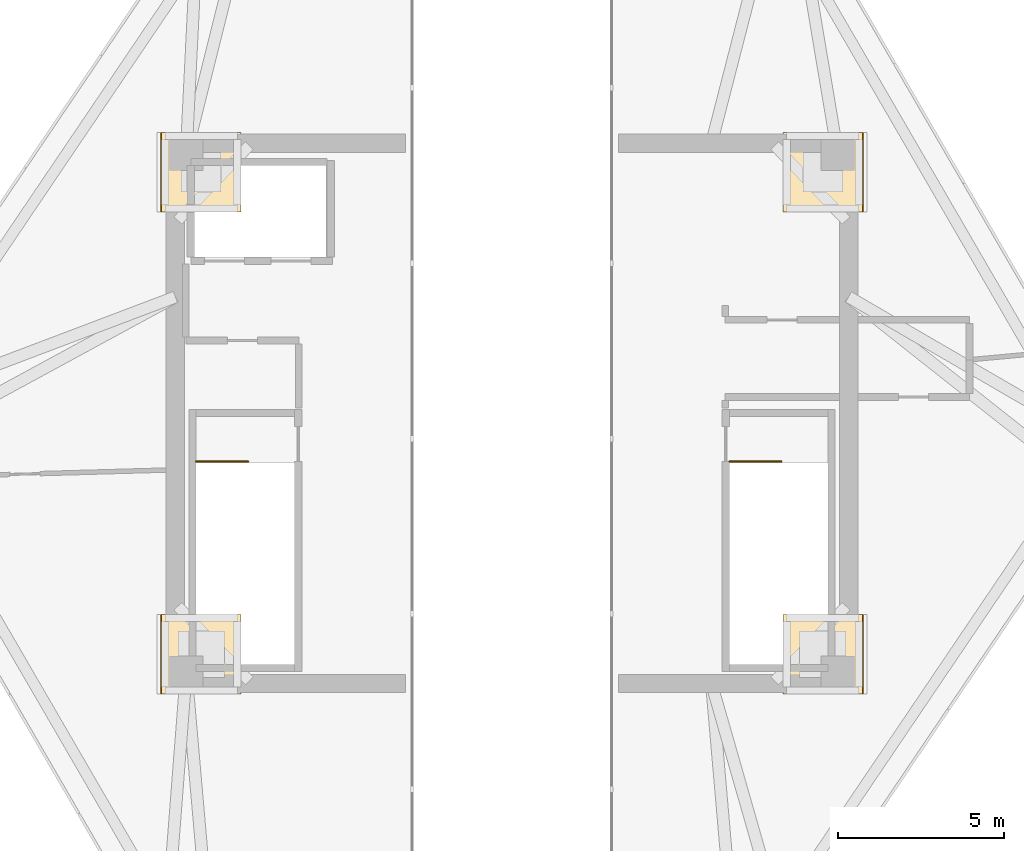
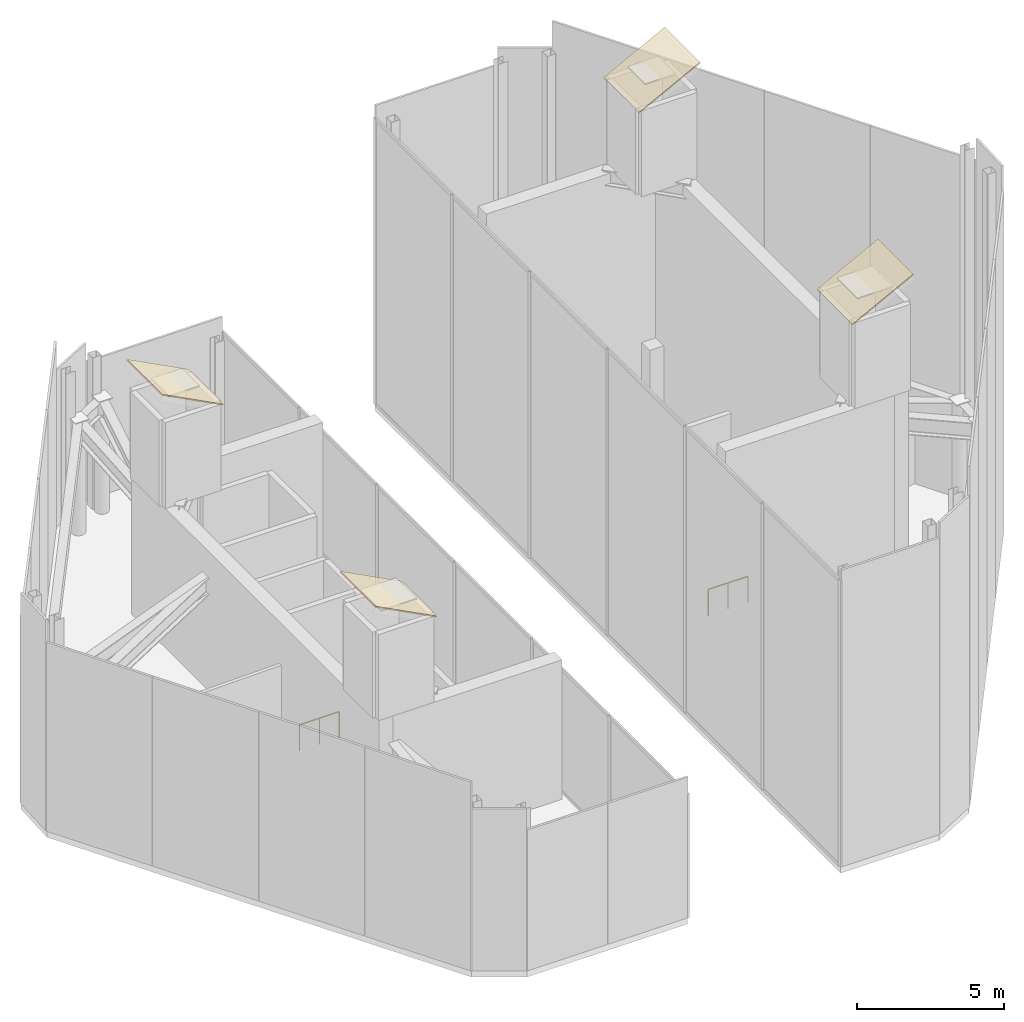
# One storey, part 9 of 9: 4 coverings, 2 railings.
"""IFC4 building model written with IfcOpenShell, lengths in metres."""

from ifc_helpers import new_model, si_unit, direction, frame, origin, origin_2d, place, context, subcontext, project, spatial, polyline, circle, outline, extrude, material, layer, layer_set, type_object, element, save


model = new_model("IFC4")

# Units and contexts
model_context = context("Model", 3, precision=1e-05, world=origin(), true_north=direction((0.0, 1.0)))
body_context = subcontext(model_context, "Body", "Model", "MODEL_VIEW")
ifc_project = project(units=[si_unit("LENGTHUNIT", "METRE"), si_unit("AREAUNIT", "SQUARE_METRE"), si_unit("VOLUMEUNIT", "CUBIC_METRE"), si_unit("PLANEANGLEUNIT", "RADIAN"), si_unit("MASSUNIT", "GRAM", prefix="KILO")], contexts=[model_context])

# Site, building, storey
site_placement = place(None, origin())
site = spatial("IfcSite", under=ifc_project, at=site_placement, CompositionType="ELEMENT")
building_placement = place(site_placement, origin())
building = spatial("IfcBuilding", under=site, at=building_placement, Name="Durnholm Broadcast Tower", CompositionType="ELEMENT")
storey_placement = place(building_placement, frame((0.0, 0.0, 287.0)))
storey = spatial("IfcBuildingStorey", under=building, at=storey_placement, Name="L79", CompositionType="ELEMENT", Elevation=287.0)

# Coverings
ifc_material_1 = material(Name="Modified Bitumen Acoustic Roofing Membrane", Category="concrete")
ifc_layer = layer(ifc_material_1, 0.044921875)
ifc_layer_set = layer_set([ifc_layer], Name="Modified Bitumen Acoustic Roofing Membrane")
covering_type = type_object("IfcCoveringType", Name="COV-ROOF-MEM", PredefinedType="ROOFING", material=ifc_layer_set)
for number, where, z_axis, x_axis, name in (
    (1, (-10.550048828125, -8.449951171875, 10.610107421875), (0.461912241701, 0.0, 0.886925634406), (0.886925634406, 0.0, -0.461912241701), "L79 HOOD-1 bulkhead sloped roofing membrane"),
    (2, (-10.550048828125, 6.050048828125, 10.610107421875), (0.461912241701, 0.0, 0.886925634406), (0.886925634406, 0.0, -0.461912241701), "L79 HOOD-2 bulkhead sloped roofing membrane"),
    (3, (8.14990234375, -8.449951171875, 15.760009765625), (-0.461912241701, 0.0, 0.886925634406), (0.886925634406, 0.0, 0.461912241701), "L79 HOOD-3 bulkhead sloped roofing membrane"),
    (4, (8.14990234375, 6.050048828125, 15.760009765625), (-0.461912241701, 0.0, 0.886925634406), (0.886925634406, 0.0, 0.461912241701), "L79 HOOD-4 bulkhead sloped roofing membrane"),
):
    element("IfcCovering", number, at=place(storey_placement, frame(where, z_axis=z_axis, x_axis=x_axis)), inside=storey, type_object=covering_type, Name=name, PredefinedType="ROOFING", context=body_context, shape_type="SweptSolid", body=[
        extrude(outline(polyline([(0.0, 0.0), (2.7061417454482446, 0.0), (2.7061417454482446, 2.39990234375), (0.0, 2.39990234375), (0.0, 0.0)])), origin(), (0.0, 0.0, -1.0), 0.044921875),
    ])

# Railings
ifc_material_2 = material(Name="Painted Tubular Steel Stair Guardrail", Category="steel")
railing_type = type_object("IfcRailingType", Name="RAIL-ST-GRD", PredefinedType="GUARDRAIL", material=ifc_material_2)
for number, where, name in (
    (5, (-9.5, -1.449951171875, 0.0), "L79 ST-1 top well guard 1"),
    (6, (6.5400390625, -1.449951171875, 0.0), "L79 ST-2 top well guard 1"),
):
    element("IfcRailing", number, at=place(storey_placement, frame(where)), inside=storey, type_object=railing_type, Name=name, PredefinedType="GUARDRAIL", context=body_context, shape_type="SweptSolid", body=[
        extrude(circle(Radius=0.02392578125, at=origin_2d()), frame((0.0, 0.0, 1.076171875), z_axis=(1.0, 0.0, 0.0), x_axis=(0.0, 1.0, 0.0)), (0.0, 0.0, 1.0), 1.56005859375),
        extrude(circle(Radius=0.02099609375, at=origin_2d()), origin(), (0.0, 0.0, 1.0), 1.052001953125),
        extrude(circle(Radius=0.02099609375, at=origin_2d()), frame((0.780029296875, 0.0, 0.0)), (0.0, 0.0, 1.0), 1.052001953125),
        extrude(circle(Radius=0.02099609375, at=origin_2d()), frame((1.56005859375, 0.0, 0.0)), (0.0, 0.0, 1.0), 1.052001953125),
    ])

save(model, "model.ifc")
